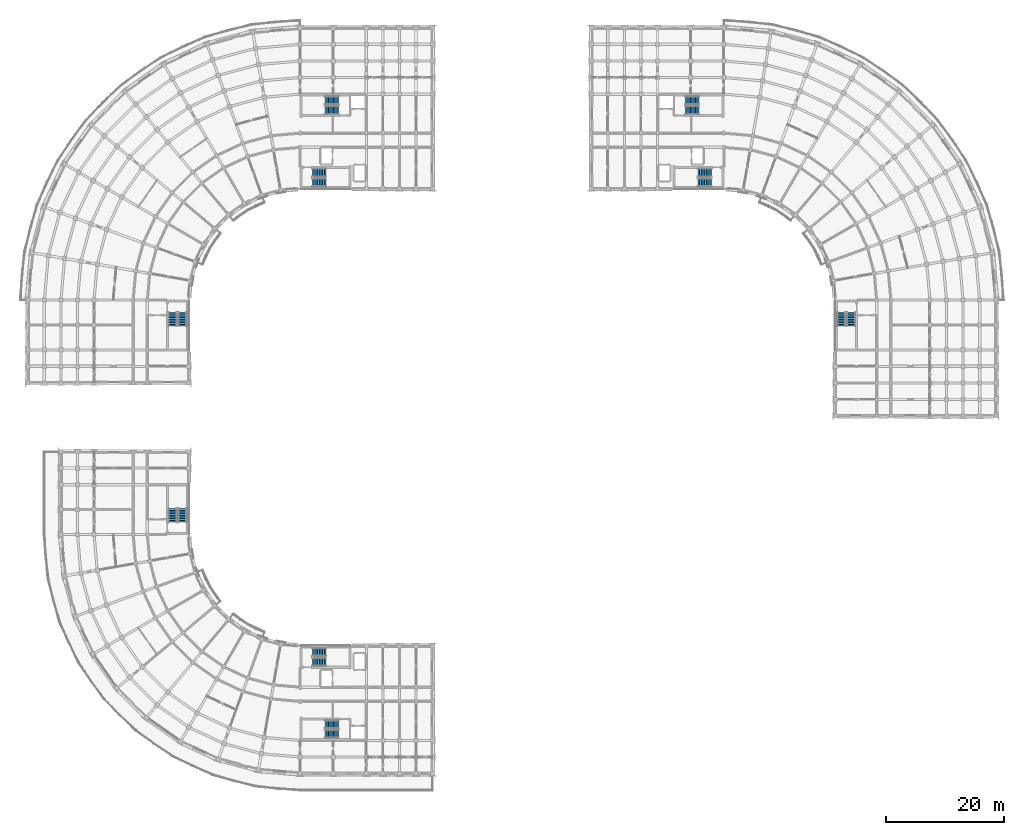
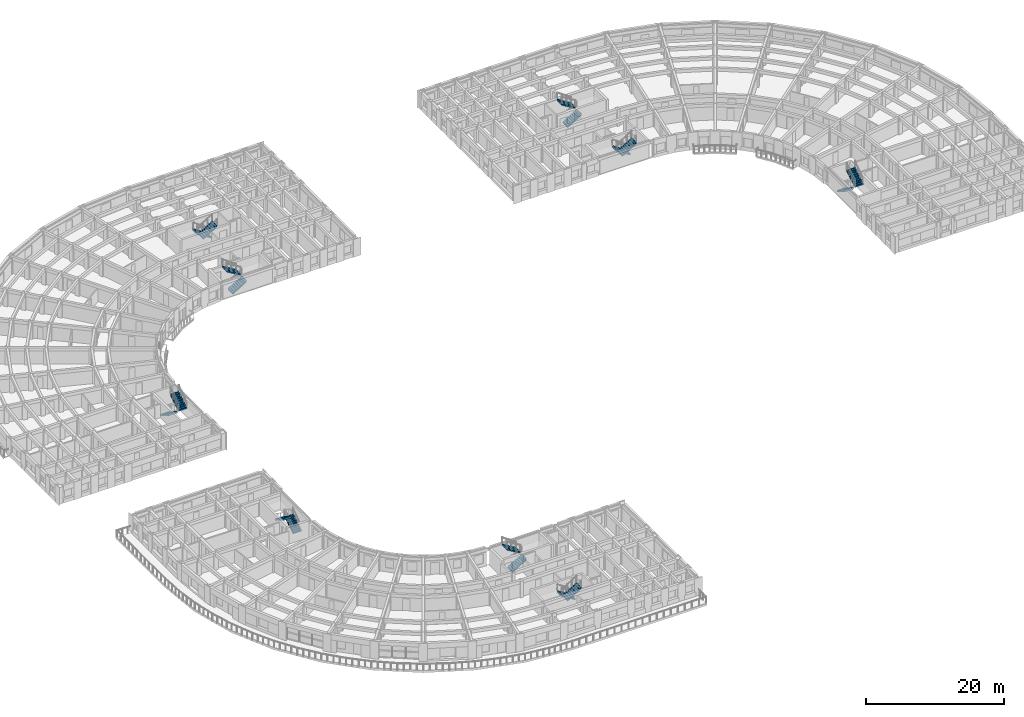
# One storey, part 38 of 57: 18 stair flights, 9 elements without a shape of their own.
"""IFC4 building model written with IfcOpenShell, lengths in metres."""

from ifc_helpers import new_model, si_unit, direction, frame, origin, place, context, subcontext, project, spatial, polyline, outline, extrude, material, type_object, element, aggregate, save


model = new_model("IFC4")

# Units and contexts
model_context = context("Model", 3, precision=1e-05, world=origin(), true_north=direction((0.0, 1.0)))
body_context = subcontext(model_context, "Body", "Model", "MODEL_VIEW")
ifc_project = project(units=[si_unit("LENGTHUNIT", "METRE"), si_unit("AREAUNIT", "SQUARE_METRE"), si_unit("VOLUMEUNIT", "CUBIC_METRE"), si_unit("PLANEANGLEUNIT", "RADIAN"), si_unit("MASSUNIT", "GRAM", prefix="KILO")], contexts=[model_context])

# Site, building, storey
site_placement = place(None, origin())
site = spatial("IfcSite", under=ifc_project, at=site_placement, CompositionType="ELEMENT")
building_placement = place(site_placement, origin())
building = spatial("IfcBuilding", under=site, at=building_placement, Name="Kiranvali Square Residences", CompositionType="ELEMENT")
storey_placement = place(building_placement, frame((0.0, 0.0, 24.449951171875)))
storey = spatial("IfcBuildingStorey", under=building, at=storey_placement, Name="L07", CompositionType="ELEMENT", Elevation=24.449951171875)

# Stair, stair flights
ifc_material = material(Name="Concrete M35 (35 MPa)", Category="concrete")
stair_type = type_object("IfcStairType", Name="ST-CORE-1700", PredefinedType="HALF_TURN_STAIR", material=ifc_material)
stair_1_placement = place(storey_placement, origin())
stair_1 = element("IfcStair", 1, at=stair_1_placement, inside=storey, type_object=stair_type, Name="L07 Block A Firefighting Exit Stair 1", PredefinedType="HALF_TURN_STAIR")
stair_flight_type = type_object("IfcStairFlightType", Name="STF-1700", PredefinedType="STRAIGHT", material=ifc_material)
stair_flight_1_placement = place(storey_placement, frame((54.699951171875, 121.52490234375, 0.0), z_axis=(0.0, 0.0, 1.0), x_axis=(-1.0, 0.0, 0.0)))
stair_flight_1 = element("IfcStairFlight", 2, at=stair_flight_1_placement, type_object=stair_flight_type, Name="ST-A1 flight 1", NumberOfRisers=9, NumberOfTreads=8, PredefinedType="STRAIGHT", RiserHeight=0.175, TreadLength=0.285, context=body_context, shape_type="SweptSolid", body=[
    extrude(outline(polyline([(-0.02001953125, -0.14990234375), (-0.02001953125, 0.0), (0.0, 0.0), (0.0, 0.175048828125), (0.284912109375, 0.175048828125), (0.284912109375, 0.35009765625), (0.570068359375, 0.35009765625), (0.570068359375, 0.52490234375), (0.85498046875, 0.52490234375), (0.85498046875, 0.699951171875), (1.139892578125, 0.699951171875), (1.139892578125, 0.875), (1.425048828125, 0.875), (1.425048828125, 1.050048828125), (1.7099609375, 1.050048828125), (1.7099609375, 1.22509765625), (1.9951171875, 1.22509765625), (1.9951171875, 1.39990234375), (2.280029296875, 1.39990234375), (2.280029296875, 1.574951171875), (2.300048828125, 1.574951171875), (2.300048828125, 1.22412109375), (2.280029296875, 1.22412109375), (0.0, -0.14990234375), (-0.02001953125, -0.14990234375)])), frame((0.0, 0.72509765625, 0.0), z_axis=(0.0, -1.0, 0.0), x_axis=(1.0, 0.0, 0.0)), (0.0, 0.0, 1.0), 1.449951171875),
])
stair_flight_2_placement = place(storey_placement, frame((52.419921875, 119.875, 1.574951171875), z_axis=(0.0, 0.0, 1.0), x_axis=(1.0, 0.0, 0.0)))
stair_flight_2 = element("IfcStairFlight", 3, at=stair_flight_2_placement, type_object=stair_flight_type, Name="ST-A1 flight 2", NumberOfRisers=9, NumberOfTreads=8, PredefinedType="STRAIGHT", RiserHeight=0.175, TreadLength=0.285, context=body_context, shape_type="SweptSolid", body=[
    extrude(outline(polyline([(-0.02001953125, -0.14990234375), (-0.02001953125, 0.0), (0.0, 0.0), (0.0, 0.175048828125), (0.284912109375, 0.175048828125), (0.284912109375, 0.35009765625), (0.570068359375, 0.35009765625), (0.570068359375, 0.52490234375), (0.85498046875, 0.52490234375), (0.85498046875, 0.699951171875), (1.139892578125, 0.699951171875), (1.139892578125, 0.875), (1.425048828125, 0.875), (1.425048828125, 1.050048828125), (1.7099609375, 1.050048828125), (1.7099609375, 1.22509765625), (1.9951171875, 1.22509765625), (1.9951171875, 1.39990234375), (2.280029296875, 1.39990234375), (2.280029296875, 1.574951171875), (2.300048828125, 1.574951171875), (2.300048828125, 1.22412109375), (2.280029296875, 1.22412109375), (0.0, -0.14990234375), (-0.02001953125, -0.14990234375)])), frame((0.0, 0.72509765625, 0.0), z_axis=(0.0, -1.0, 0.0), x_axis=(1.0, 0.0, 0.0)), (0.0, 0.0, 1.0), 1.449951171875),
])
aggregate(stair_1, [stair_flight_1, stair_flight_2])

stair_2_placement = place(storey_placement, origin())
stair_2 = element("IfcStair", 4, at=stair_2_placement, inside=storey, type_object=stair_type, Name="L07 Block A Protected Exit Stair 2", PredefinedType="HALF_TURN_STAIR")
stair_flight_3_placement = place(storey_placement, frame((50.300048828125, 107.675048828125, 0.0), z_axis=(0.0, 0.0, 1.0), x_axis=(1.0, 0.0, 0.0)))
stair_flight_3 = element("IfcStairFlight", 5, at=stair_flight_3_placement, type_object=stair_flight_type, Name="ST-A2 flight 1", NumberOfRisers=9, NumberOfTreads=8, PredefinedType="STRAIGHT", RiserHeight=0.175, TreadLength=0.285, context=body_context, shape_type="SweptSolid", body=[
    extrude(outline(polyline([(-0.02001953125, -0.14990234375), (-0.02001953125, 0.0), (0.0, 0.0), (0.0, 0.175048828125), (0.284912109375, 0.175048828125), (0.284912109375, 0.35009765625), (0.570068359375, 0.35009765625), (0.570068359375, 0.52490234375), (0.85498046875, 0.52490234375), (0.85498046875, 0.699951171875), (1.139892578125, 0.699951171875), (1.139892578125, 0.875), (1.425048828125, 0.875), (1.425048828125, 1.050048828125), (1.7099609375, 1.050048828125), (1.7099609375, 1.22509765625), (1.9951171875, 1.22509765625), (1.9951171875, 1.39990234375), (2.280029296875, 1.39990234375), (2.280029296875, 1.574951171875), (2.300048828125, 1.574951171875), (2.300048828125, 1.22412109375), (2.280029296875, 1.22412109375), (0.0, -0.14990234375), (-0.02001953125, -0.14990234375)])), frame((0.0, 0.72509765625, 0.0), z_axis=(0.0, -1.0, 0.0), x_axis=(1.0, 0.0, 0.0)), (0.0, 0.0, 1.0), 1.449951171875),
])
stair_flight_4_placement = place(storey_placement, frame((52.580078125, 109.324951171875, 1.574951171875), z_axis=(0.0, 0.0, 1.0), x_axis=(-1.0, 0.0, 0.0)))
stair_flight_4 = element("IfcStairFlight", 6, at=stair_flight_4_placement, type_object=stair_flight_type, Name="ST-A2 flight 2", NumberOfRisers=9, NumberOfTreads=8, PredefinedType="STRAIGHT", RiserHeight=0.175, TreadLength=0.285, context=body_context, shape_type="SweptSolid", body=[
    extrude(outline(polyline([(-0.02001953125, -0.14990234375), (-0.02001953125, 0.0), (0.0, 0.0), (0.0, 0.175048828125), (0.284912109375, 0.175048828125), (0.284912109375, 0.35009765625), (0.570068359375, 0.35009765625), (0.570068359375, 0.52490234375), (0.85498046875, 0.52490234375), (0.85498046875, 0.699951171875), (1.139892578125, 0.699951171875), (1.139892578125, 0.875), (1.425048828125, 0.875), (1.425048828125, 1.050048828125), (1.7099609375, 1.050048828125), (1.7099609375, 1.22509765625), (1.9951171875, 1.22509765625), (1.9951171875, 1.39990234375), (2.280029296875, 1.39990234375), (2.280029296875, 1.574951171875), (2.300048828125, 1.574951171875), (2.300048828125, 1.22412109375), (2.280029296875, 1.22412109375), (0.0, -0.14990234375), (-0.02001953125, -0.14990234375)])), frame((0.0, 0.72509765625, 0.0), z_axis=(0.0, -1.0, 0.0), x_axis=(1.0, 0.0, 0.0)), (0.0, 0.0, 1.0), 1.449951171875),
])
aggregate(stair_2, [stair_flight_3, stair_flight_4])

stair_3_placement = place(storey_placement, origin())
stair_3 = element("IfcStair", 7, at=stair_3_placement, inside=storey, type_object=stair_type, Name="L07 Block A Wing Protected Exit Stair 3", PredefinedType="HALF_TURN_STAIR")
stair_flight_5_placement = place(storey_placement, frame((26.675048828125, 85.699951171875, 0.0), z_axis=(0.0, 0.0, 1.0), x_axis=(0.0, -1.0, 0.0)))
stair_flight_5 = element("IfcStairFlight", 8, at=stair_flight_5_placement, type_object=stair_flight_type, Name="ST-A3 flight 1", NumberOfRisers=9, NumberOfTreads=8, PredefinedType="STRAIGHT", RiserHeight=0.175, TreadLength=0.285, context=body_context, shape_type="SweptSolid", body=[
    extrude(outline(polyline([(-0.02001953125, -0.14990234375), (-0.02001953125, 0.0), (0.0, 0.0), (0.0, 0.175048828125), (0.284912109375, 0.175048828125), (0.284912109375, 0.35009765625), (0.570068359375, 0.35009765625), (0.570068359375, 0.52490234375), (0.85498046875, 0.52490234375), (0.85498046875, 0.699951171875), (1.139892578125, 0.699951171875), (1.139892578125, 0.875), (1.425048828125, 0.875), (1.425048828125, 1.050048828125), (1.7099609375, 1.050048828125), (1.7099609375, 1.22509765625), (1.9951171875, 1.22509765625), (1.9951171875, 1.39990234375), (2.280029296875, 1.39990234375), (2.280029296875, 1.574951171875), (2.300048828125, 1.574951171875), (2.300048828125, 1.22412109375), (2.280029296875, 1.22412109375), (0.0, -0.14990234375), (-0.02001953125, -0.14990234375)])), frame((0.0, 0.72509765625, 0.0), z_axis=(0.0, -1.0, 0.0), x_axis=(1.0, 0.0, 0.0)), (0.0, 0.0, 1.0), 1.449951171875),
])
stair_flight_6_placement = place(storey_placement, frame((28.324951171875, 83.419921875, 1.574951171875), z_axis=(0.0, 0.0, 1.0), x_axis=(0.0, 1.0, 0.0)))
stair_flight_6 = element("IfcStairFlight", 9, at=stair_flight_6_placement, type_object=stair_flight_type, Name="ST-A3 flight 2", NumberOfRisers=9, NumberOfTreads=8, PredefinedType="STRAIGHT", RiserHeight=0.175, TreadLength=0.285, context=body_context, shape_type="SweptSolid", body=[
    extrude(outline(polyline([(-0.02001953125, -0.14990234375), (-0.02001953125, 0.0), (0.0, 0.0), (0.0, 0.175048828125), (0.284912109375, 0.175048828125), (0.284912109375, 0.35009765625), (0.570068359375, 0.35009765625), (0.570068359375, 0.52490234375), (0.85498046875, 0.52490234375), (0.85498046875, 0.699951171875), (1.139892578125, 0.699951171875), (1.139892578125, 0.875), (1.425048828125, 0.875), (1.425048828125, 1.050048828125), (1.7099609375, 1.050048828125), (1.7099609375, 1.22509765625), (1.9951171875, 1.22509765625), (1.9951171875, 1.39990234375), (2.280029296875, 1.39990234375), (2.280029296875, 1.574951171875), (2.300048828125, 1.574951171875), (2.300048828125, 1.22412109375), (2.280029296875, 1.22412109375), (0.0, -0.14990234375), (-0.02001953125, -0.14990234375)])), frame((0.0, 0.72509765625, 0.0), z_axis=(0.0, -1.0, 0.0), x_axis=(1.0, 0.0, 0.0)), (0.0, 0.0, 1.0), 1.449951171875),
])
aggregate(stair_3, [stair_flight_5, stair_flight_6])

stair_4_placement = place(storey_placement, origin())
stair_4 = element("IfcStair", 10, at=stair_4_placement, inside=storey, type_object=stair_type, Name="L07 Block B Firefighting Exit Stair 1", PredefinedType="HALF_TURN_STAIR")
stair_flight_7_placement = place(storey_placement, frame((113.300048828125, 119.875, 0.0), z_axis=(0.0, 0.0, 1.0), x_axis=(1.0, 0.0, 0.0)))
stair_flight_7 = element("IfcStairFlight", 11, at=stair_flight_7_placement, type_object=stair_flight_type, Name="ST-B1 flight 1", NumberOfRisers=9, NumberOfTreads=8, PredefinedType="STRAIGHT", RiserHeight=0.175, TreadLength=0.285, context=body_context, shape_type="SweptSolid", body=[
    extrude(outline(polyline([(-0.02001953125, -0.14990234375), (-0.02001953125, 0.0), (0.0, 0.0), (0.0, 0.175048828125), (0.284912109375, 0.175048828125), (0.284912109375, 0.35009765625), (0.570068359375, 0.35009765625), (0.570068359375, 0.52490234375), (0.85498046875, 0.52490234375), (0.85498046875, 0.699951171875), (1.139892578125, 0.699951171875), (1.139892578125, 0.875), (1.425048828125, 0.875), (1.425048828125, 1.050048828125), (1.7099609375, 1.050048828125), (1.7099609375, 1.22509765625), (1.9951171875, 1.22509765625), (1.9951171875, 1.39990234375), (2.280029296875, 1.39990234375), (2.280029296875, 1.574951171875), (2.300048828125, 1.574951171875), (2.300048828125, 1.22412109375), (2.280029296875, 1.22412109375), (0.0, -0.14990234375), (-0.02001953125, -0.14990234375)])), frame((0.0, 0.72509765625, 0.0), z_axis=(0.0, -1.0, 0.0), x_axis=(1.0, 0.0, 0.0)), (0.0, 0.0, 1.0), 1.449951171875),
])
stair_flight_8_placement = place(storey_placement, frame((115.580078125, 121.52490234375, 1.574951171875), z_axis=(0.0, 0.0, 1.0), x_axis=(-1.0, 0.0, 0.0)))
stair_flight_8 = element("IfcStairFlight", 12, at=stair_flight_8_placement, type_object=stair_flight_type, Name="ST-B1 flight 2", NumberOfRisers=9, NumberOfTreads=8, PredefinedType="STRAIGHT", RiserHeight=0.175, TreadLength=0.285, context=body_context, shape_type="SweptSolid", body=[
    extrude(outline(polyline([(-0.02001953125, -0.14990234375), (-0.02001953125, 0.0), (0.0, 0.0), (0.0, 0.175048828125), (0.284912109375, 0.175048828125), (0.284912109375, 0.35009765625), (0.570068359375, 0.35009765625), (0.570068359375, 0.52490234375), (0.85498046875, 0.52490234375), (0.85498046875, 0.699951171875), (1.139892578125, 0.699951171875), (1.139892578125, 0.875), (1.425048828125, 0.875), (1.425048828125, 1.050048828125), (1.7099609375, 1.050048828125), (1.7099609375, 1.22509765625), (1.9951171875, 1.22509765625), (1.9951171875, 1.39990234375), (2.280029296875, 1.39990234375), (2.280029296875, 1.574951171875), (2.300048828125, 1.574951171875), (2.300048828125, 1.22412109375), (2.280029296875, 1.22412109375), (0.0, -0.14990234375), (-0.02001953125, -0.14990234375)])), frame((0.0, 0.72509765625, 0.0), z_axis=(0.0, -1.0, 0.0), x_axis=(1.0, 0.0, 0.0)), (0.0, 0.0, 1.0), 1.449951171875),
])
aggregate(stair_4, [stair_flight_7, stair_flight_8])

stair_5_placement = place(storey_placement, origin())
stair_5 = element("IfcStair", 13, at=stair_5_placement, inside=storey, type_object=stair_type, Name="L07 Block B Protected Exit Stair 2", PredefinedType="HALF_TURN_STAIR")
stair_flight_9_placement = place(storey_placement, frame((117.699951171875, 109.324951171875, 0.0), z_axis=(0.0, 0.0, 1.0), x_axis=(-1.0, 0.0, 0.0)))
stair_flight_9 = element("IfcStairFlight", 14, at=stair_flight_9_placement, type_object=stair_flight_type, Name="ST-B2 flight 1", NumberOfRisers=9, NumberOfTreads=8, PredefinedType="STRAIGHT", RiserHeight=0.175, TreadLength=0.285, context=body_context, shape_type="SweptSolid", body=[
    extrude(outline(polyline([(-0.02001953125, -0.14990234375), (-0.02001953125, 0.0), (0.0, 0.0), (0.0, 0.175048828125), (0.284912109375, 0.175048828125), (0.284912109375, 0.35009765625), (0.570068359375, 0.35009765625), (0.570068359375, 0.52490234375), (0.85498046875, 0.52490234375), (0.85498046875, 0.699951171875), (1.139892578125, 0.699951171875), (1.139892578125, 0.875), (1.425048828125, 0.875), (1.425048828125, 1.050048828125), (1.7099609375, 1.050048828125), (1.7099609375, 1.22509765625), (1.9951171875, 1.22509765625), (1.9951171875, 1.39990234375), (2.280029296875, 1.39990234375), (2.280029296875, 1.574951171875), (2.300048828125, 1.574951171875), (2.300048828125, 1.22412109375), (2.280029296875, 1.22412109375), (0.0, -0.14990234375), (-0.02001953125, -0.14990234375)])), frame((0.0, 0.72509765625, 0.0), z_axis=(0.0, -1.0, 0.0), x_axis=(1.0, 0.0, 0.0)), (0.0, 0.0, 1.0), 1.449951171875),
])
stair_flight_10_placement = place(storey_placement, frame((115.419921875, 107.675048828125, 1.574951171875), z_axis=(0.0, 0.0, 1.0), x_axis=(1.0, 0.0, 0.0)))
stair_flight_10 = element("IfcStairFlight", 15, at=stair_flight_10_placement, type_object=stair_flight_type, Name="ST-B2 flight 2", NumberOfRisers=9, NumberOfTreads=8, PredefinedType="STRAIGHT", RiserHeight=0.175, TreadLength=0.285, context=body_context, shape_type="SweptSolid", body=[
    extrude(outline(polyline([(-0.02001953125, -0.14990234375), (-0.02001953125, 0.0), (0.0, 0.0), (0.0, 0.175048828125), (0.284912109375, 0.175048828125), (0.284912109375, 0.35009765625), (0.570068359375, 0.35009765625), (0.570068359375, 0.52490234375), (0.85498046875, 0.52490234375), (0.85498046875, 0.699951171875), (1.139892578125, 0.699951171875), (1.139892578125, 0.875), (1.425048828125, 0.875), (1.425048828125, 1.050048828125), (1.7099609375, 1.050048828125), (1.7099609375, 1.22509765625), (1.9951171875, 1.22509765625), (1.9951171875, 1.39990234375), (2.280029296875, 1.39990234375), (2.280029296875, 1.574951171875), (2.300048828125, 1.574951171875), (2.300048828125, 1.22412109375), (2.280029296875, 1.22412109375), (0.0, -0.14990234375), (-0.02001953125, -0.14990234375)])), frame((0.0, 0.72509765625, 0.0), z_axis=(0.0, -1.0, 0.0), x_axis=(1.0, 0.0, 0.0)), (0.0, 0.0, 1.0), 1.449951171875),
])
aggregate(stair_5, [stair_flight_9, stair_flight_10])

stair_6_placement = place(storey_placement, origin())
stair_6 = element("IfcStair", 16, at=stair_6_placement, inside=storey, type_object=stair_type, Name="L07 Block B Wing Protected Exit Stair 3", PredefinedType="HALF_TURN_STAIR")
stair_flight_11_placement = place(storey_placement, frame((139.675048828125, 85.699951171875, 0.0), z_axis=(0.0, 0.0, 1.0), x_axis=(0.0, -1.0, 0.0)))
stair_flight_11 = element("IfcStairFlight", 17, at=stair_flight_11_placement, type_object=stair_flight_type, Name="ST-B3 flight 1", NumberOfRisers=9, NumberOfTreads=8, PredefinedType="STRAIGHT", RiserHeight=0.175, TreadLength=0.285, context=body_context, shape_type="SweptSolid", body=[
    extrude(outline(polyline([(-0.02001953125, -0.14990234375), (-0.02001953125, 0.0), (0.0, 0.0), (0.0, 0.175048828125), (0.284912109375, 0.175048828125), (0.284912109375, 0.35009765625), (0.570068359375, 0.35009765625), (0.570068359375, 0.52490234375), (0.85498046875, 0.52490234375), (0.85498046875, 0.699951171875), (1.139892578125, 0.699951171875), (1.139892578125, 0.875), (1.425048828125, 0.875), (1.425048828125, 1.050048828125), (1.7099609375, 1.050048828125), (1.7099609375, 1.22509765625), (1.9951171875, 1.22509765625), (1.9951171875, 1.39990234375), (2.280029296875, 1.39990234375), (2.280029296875, 1.574951171875), (2.300048828125, 1.574951171875), (2.300048828125, 1.22412109375), (2.280029296875, 1.22412109375), (0.0, -0.14990234375), (-0.02001953125, -0.14990234375)])), frame((0.0, 0.72509765625, 0.0), z_axis=(0.0, -1.0, 0.0), x_axis=(1.0, 0.0, 0.0)), (0.0, 0.0, 1.0), 1.449951171875),
])
stair_flight_12_placement = place(storey_placement, frame((141.324951171875, 83.419921875, 1.574951171875), z_axis=(0.0, 0.0, 1.0), x_axis=(0.0, 1.0, 0.0)))
stair_flight_12 = element("IfcStairFlight", 18, at=stair_flight_12_placement, type_object=stair_flight_type, Name="ST-B3 flight 2", NumberOfRisers=9, NumberOfTreads=8, PredefinedType="STRAIGHT", RiserHeight=0.175, TreadLength=0.285, context=body_context, shape_type="SweptSolid", body=[
    extrude(outline(polyline([(-0.02001953125, -0.14990234375), (-0.02001953125, 0.0), (0.0, 0.0), (0.0, 0.175048828125), (0.284912109375, 0.175048828125), (0.284912109375, 0.35009765625), (0.570068359375, 0.35009765625), (0.570068359375, 0.52490234375), (0.85498046875, 0.52490234375), (0.85498046875, 0.699951171875), (1.139892578125, 0.699951171875), (1.139892578125, 0.875), (1.425048828125, 0.875), (1.425048828125, 1.050048828125), (1.7099609375, 1.050048828125), (1.7099609375, 1.22509765625), (1.9951171875, 1.22509765625), (1.9951171875, 1.39990234375), (2.280029296875, 1.39990234375), (2.280029296875, 1.574951171875), (2.300048828125, 1.574951171875), (2.300048828125, 1.22412109375), (2.280029296875, 1.22412109375), (0.0, -0.14990234375), (-0.02001953125, -0.14990234375)])), frame((0.0, 0.72509765625, 0.0), z_axis=(0.0, -1.0, 0.0), x_axis=(1.0, 0.0, 0.0)), (0.0, 0.0, 1.0), 1.449951171875),
])
aggregate(stair_6, [stair_flight_11, stair_flight_12])

stair_7_placement = place(storey_placement, origin())
stair_7 = element("IfcStair", 19, at=stair_7_placement, inside=storey, type_object=stair_type, Name="L07 Block C Firefighting Exit Stair 1", PredefinedType="HALF_TURN_STAIR")
stair_flight_13_placement = place(storey_placement, frame((54.699951171875, 16.125, 0.0), z_axis=(0.0, 0.0, 1.0), x_axis=(-1.0, 0.0, 0.0)))
stair_flight_13 = element("IfcStairFlight", 20, at=stair_flight_13_placement, type_object=stair_flight_type, Name="ST-C1 flight 1", NumberOfRisers=9, NumberOfTreads=8, PredefinedType="STRAIGHT", RiserHeight=0.175, TreadLength=0.285, context=body_context, shape_type="SweptSolid", body=[
    extrude(outline(polyline([(-0.02001953125, -0.14990234375), (-0.02001953125, 0.0), (0.0, 0.0), (0.0, 0.175048828125), (0.284912109375, 0.175048828125), (0.284912109375, 0.35009765625), (0.570068359375, 0.35009765625), (0.570068359375, 0.52490234375), (0.85498046875, 0.52490234375), (0.85498046875, 0.699951171875), (1.139892578125, 0.699951171875), (1.139892578125, 0.875), (1.425048828125, 0.875), (1.425048828125, 1.050048828125), (1.7099609375, 1.050048828125), (1.7099609375, 1.22509765625), (1.9951171875, 1.22509765625), (1.9951171875, 1.39990234375), (2.280029296875, 1.39990234375), (2.280029296875, 1.574951171875), (2.300048828125, 1.574951171875), (2.300048828125, 1.22412109375), (2.280029296875, 1.22412109375), (0.0, -0.14990234375), (-0.02001953125, -0.14990234375)])), frame((0.0, 0.72509765625, 0.0), z_axis=(0.0, -1.0, 0.0), x_axis=(1.0, 0.0, 0.0)), (0.0, 0.0, 1.0), 1.449951171875),
])
stair_flight_14_placement = place(storey_placement, frame((52.419921875, 14.47509765625, 1.574951171875), z_axis=(0.0, 0.0, 1.0), x_axis=(1.0, 0.0, 0.0)))
stair_flight_14 = element("IfcStairFlight", 21, at=stair_flight_14_placement, type_object=stair_flight_type, Name="ST-C1 flight 2", NumberOfRisers=9, NumberOfTreads=8, PredefinedType="STRAIGHT", RiserHeight=0.175, TreadLength=0.285, context=body_context, shape_type="SweptSolid", body=[
    extrude(outline(polyline([(-0.02001953125, -0.14990234375), (-0.02001953125, 0.0), (0.0, 0.0), (0.0, 0.175048828125), (0.284912109375, 0.175048828125), (0.284912109375, 0.35009765625), (0.570068359375, 0.35009765625), (0.570068359375, 0.52490234375), (0.85498046875, 0.52490234375), (0.85498046875, 0.699951171875), (1.139892578125, 0.699951171875), (1.139892578125, 0.875), (1.425048828125, 0.875), (1.425048828125, 1.050048828125), (1.7099609375, 1.050048828125), (1.7099609375, 1.22509765625), (1.9951171875, 1.22509765625), (1.9951171875, 1.39990234375), (2.280029296875, 1.39990234375), (2.280029296875, 1.574951171875), (2.300048828125, 1.574951171875), (2.300048828125, 1.22412109375), (2.280029296875, 1.22412109375), (0.0, -0.14990234375), (-0.02001953125, -0.14990234375)])), frame((0.0, 0.72509765625, 0.0), z_axis=(0.0, -1.0, 0.0), x_axis=(1.0, 0.0, 0.0)), (0.0, 0.0, 1.0), 1.449951171875),
])
aggregate(stair_7, [stair_flight_13, stair_flight_14])

stair_8_placement = place(storey_placement, origin())
stair_8 = element("IfcStair", 22, at=stair_8_placement, inside=storey, type_object=stair_type, Name="L07 Block C Protected Exit Stair 2", PredefinedType="HALF_TURN_STAIR")
stair_flight_15_placement = place(storey_placement, frame((50.300048828125, 26.675048828125, 0.0), z_axis=(0.0, 0.0, 1.0), x_axis=(1.0, 0.0, 0.0)))
stair_flight_15 = element("IfcStairFlight", 23, at=stair_flight_15_placement, type_object=stair_flight_type, Name="ST-C2 flight 1", NumberOfRisers=9, NumberOfTreads=8, PredefinedType="STRAIGHT", RiserHeight=0.175, TreadLength=0.285, context=body_context, shape_type="SweptSolid", body=[
    extrude(outline(polyline([(-0.02001953125, -0.14990234375), (-0.02001953125, 0.0), (0.0, 0.0), (0.0, 0.175048828125), (0.284912109375, 0.175048828125), (0.284912109375, 0.35009765625), (0.570068359375, 0.35009765625), (0.570068359375, 0.52490234375), (0.85498046875, 0.52490234375), (0.85498046875, 0.699951171875), (1.139892578125, 0.699951171875), (1.139892578125, 0.875), (1.425048828125, 0.875), (1.425048828125, 1.050048828125), (1.7099609375, 1.050048828125), (1.7099609375, 1.22509765625), (1.9951171875, 1.22509765625), (1.9951171875, 1.39990234375), (2.280029296875, 1.39990234375), (2.280029296875, 1.574951171875), (2.300048828125, 1.574951171875), (2.300048828125, 1.22412109375), (2.280029296875, 1.22412109375), (0.0, -0.14990234375), (-0.02001953125, -0.14990234375)])), frame((0.0, 0.72509765625, 0.0), z_axis=(0.0, -1.0, 0.0), x_axis=(1.0, 0.0, 0.0)), (0.0, 0.0, 1.0), 1.449951171875),
])
stair_flight_16_placement = place(storey_placement, frame((52.580078125, 28.324951171875, 1.574951171875), z_axis=(0.0, 0.0, 1.0), x_axis=(-1.0, 0.0, 0.0)))
stair_flight_16 = element("IfcStairFlight", 24, at=stair_flight_16_placement, type_object=stair_flight_type, Name="ST-C2 flight 2", NumberOfRisers=9, NumberOfTreads=8, PredefinedType="STRAIGHT", RiserHeight=0.175, TreadLength=0.285, context=body_context, shape_type="SweptSolid", body=[
    extrude(outline(polyline([(-0.02001953125, -0.14990234375), (-0.02001953125, 0.0), (0.0, 0.0), (0.0, 0.175048828125), (0.284912109375, 0.175048828125), (0.284912109375, 0.35009765625), (0.570068359375, 0.35009765625), (0.570068359375, 0.52490234375), (0.85498046875, 0.52490234375), (0.85498046875, 0.699951171875), (1.139892578125, 0.699951171875), (1.139892578125, 0.875), (1.425048828125, 0.875), (1.425048828125, 1.050048828125), (1.7099609375, 1.050048828125), (1.7099609375, 1.22509765625), (1.9951171875, 1.22509765625), (1.9951171875, 1.39990234375), (2.280029296875, 1.39990234375), (2.280029296875, 1.574951171875), (2.300048828125, 1.574951171875), (2.300048828125, 1.22412109375), (2.280029296875, 1.22412109375), (0.0, -0.14990234375), (-0.02001953125, -0.14990234375)])), frame((0.0, 0.72509765625, 0.0), z_axis=(0.0, -1.0, 0.0), x_axis=(1.0, 0.0, 0.0)), (0.0, 0.0, 1.0), 1.449951171875),
])
aggregate(stair_8, [stair_flight_15, stair_flight_16])

stair_9_placement = place(storey_placement, origin())
stair_9 = element("IfcStair", 25, at=stair_9_placement, inside=storey, type_object=stair_type, Name="L07 Block C Wing Protected Exit Stair 3", PredefinedType="HALF_TURN_STAIR")
stair_flight_17_placement = place(storey_placement, frame((28.324951171875, 50.300048828125, 0.0), z_axis=(0.0, 0.0, 1.0), x_axis=(0.0, 1.0, 0.0)))
stair_flight_17 = element("IfcStairFlight", 26, at=stair_flight_17_placement, type_object=stair_flight_type, Name="ST-C3 flight 1", NumberOfRisers=9, NumberOfTreads=8, PredefinedType="STRAIGHT", RiserHeight=0.175, TreadLength=0.285, context=body_context, shape_type="SweptSolid", body=[
    extrude(outline(polyline([(-0.02001953125, -0.14990234375), (-0.02001953125, 0.0), (0.0, 0.0), (0.0, 0.175048828125), (0.284912109375, 0.175048828125), (0.284912109375, 0.35009765625), (0.570068359375, 0.35009765625), (0.570068359375, 0.52490234375), (0.85498046875, 0.52490234375), (0.85498046875, 0.699951171875), (1.139892578125, 0.699951171875), (1.139892578125, 0.875), (1.425048828125, 0.875), (1.425048828125, 1.050048828125), (1.7099609375, 1.050048828125), (1.7099609375, 1.22509765625), (1.9951171875, 1.22509765625), (1.9951171875, 1.39990234375), (2.280029296875, 1.39990234375), (2.280029296875, 1.574951171875), (2.300048828125, 1.574951171875), (2.300048828125, 1.22412109375), (2.280029296875, 1.22412109375), (0.0, -0.14990234375), (-0.02001953125, -0.14990234375)])), frame((0.0, 0.72509765625, 0.0), z_axis=(0.0, -1.0, 0.0), x_axis=(1.0, 0.0, 0.0)), (0.0, 0.0, 1.0), 1.449951171875),
])
stair_flight_18_placement = place(storey_placement, frame((26.675048828125, 52.580078125, 1.574951171875), z_axis=(0.0, 0.0, 1.0), x_axis=(0.0, -1.0, 0.0)))
stair_flight_18 = element("IfcStairFlight", 27, at=stair_flight_18_placement, type_object=stair_flight_type, Name="ST-C3 flight 2", NumberOfRisers=9, NumberOfTreads=8, PredefinedType="STRAIGHT", RiserHeight=0.175, TreadLength=0.285, context=body_context, shape_type="SweptSolid", body=[
    extrude(outline(polyline([(-0.02001953125, -0.14990234375), (-0.02001953125, 0.0), (0.0, 0.0), (0.0, 0.175048828125), (0.284912109375, 0.175048828125), (0.284912109375, 0.35009765625), (0.570068359375, 0.35009765625), (0.570068359375, 0.52490234375), (0.85498046875, 0.52490234375), (0.85498046875, 0.699951171875), (1.139892578125, 0.699951171875), (1.139892578125, 0.875), (1.425048828125, 0.875), (1.425048828125, 1.050048828125), (1.7099609375, 1.050048828125), (1.7099609375, 1.22509765625), (1.9951171875, 1.22509765625), (1.9951171875, 1.39990234375), (2.280029296875, 1.39990234375), (2.280029296875, 1.574951171875), (2.300048828125, 1.574951171875), (2.300048828125, 1.22412109375), (2.280029296875, 1.22412109375), (0.0, -0.14990234375), (-0.02001953125, -0.14990234375)])), frame((0.0, 0.72509765625, 0.0), z_axis=(0.0, -1.0, 0.0), x_axis=(1.0, 0.0, 0.0)), (0.0, 0.0, 1.0), 1.449951171875),
])
aggregate(stair_9, [stair_flight_17, stair_flight_18])

save(model, "model.ifc")
